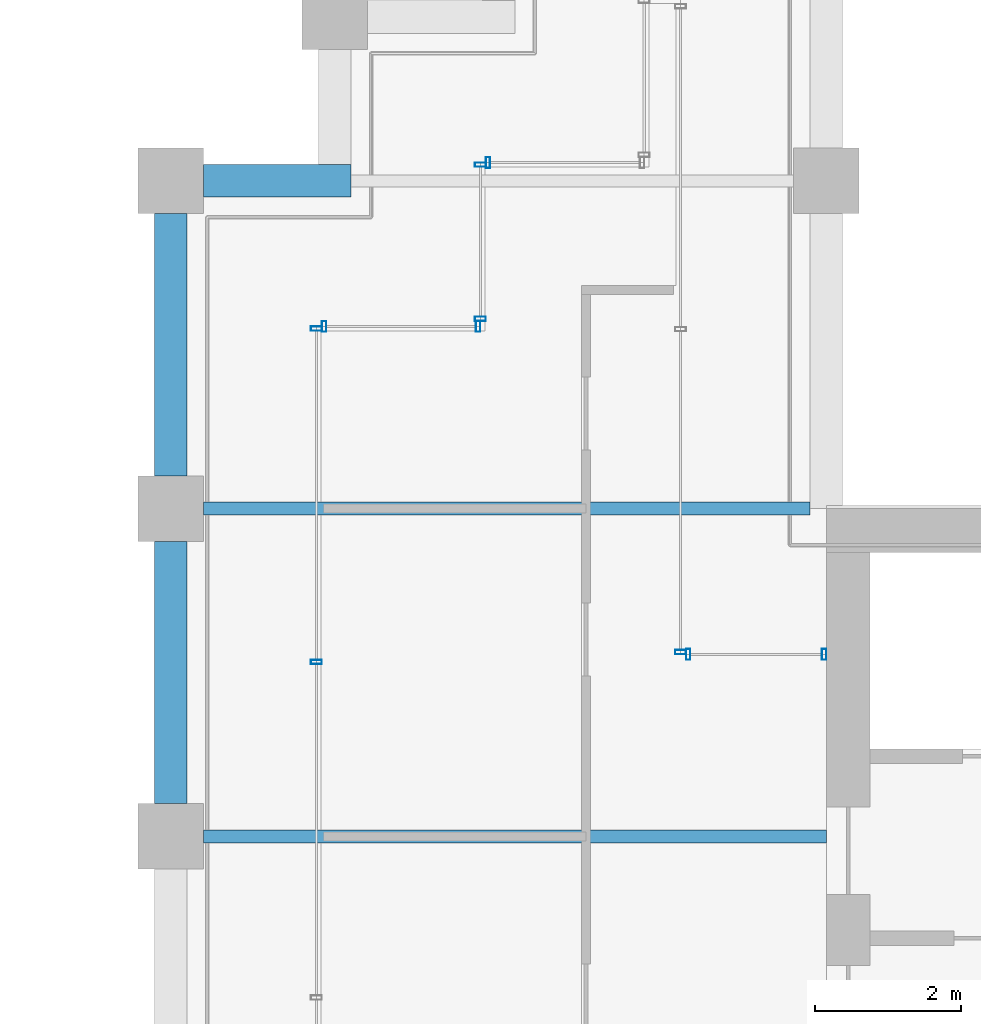
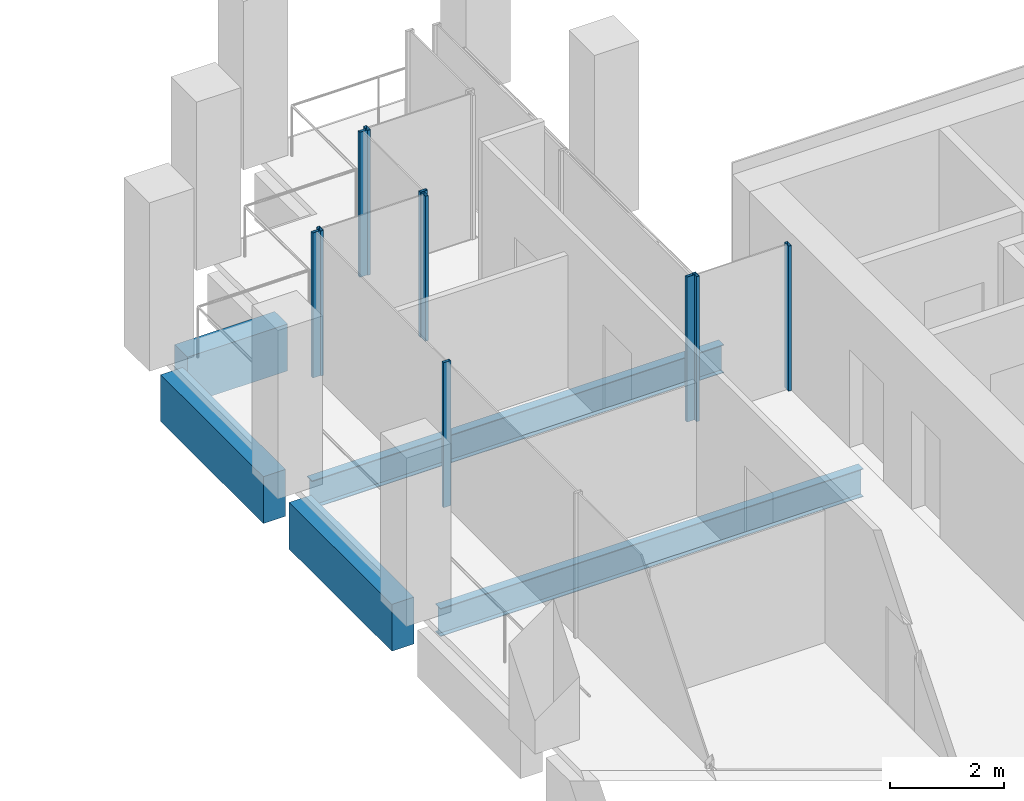
# One storey, part 32 of 40: 10 members, 5 beams, 6 elements without a shape of their own.
"""IFC4 building model written with IfcOpenShell, lengths in metres."""

import ifcopenshell
import ifcopenshell.guid

model = None  # the IFC model being written
_history = None  # IfcOwnerHistory: only IFC2X3 demands one
_inside = {}  # id of a spatial element -> (the spatial element, [elements in it])
_under = {}  # id of a project, library or spatial element -> (it, [spatial elements below it])
_declared = {}  # id of a project -> (the project, [libraries it declares])
_typed = {}  # id of a type object -> (the type object, [elements of that type])
_made_of = {}  # id of a material, layer set ... -> (it, [elements and type objects made of it])


def new_model(schema):
    """Start an empty IFC model of exactly this schema.

    Asked for "IFC4X3", IfcOpenShell would pick the latest addendum, in which some entities
    have other attributes; the version numbers below select the first issue.
    IFC2X3 requires an IfcOwnerHistory on every rooted entity: one is made here for all.
    """
    global model, _history
    if schema == "IFC4X3":
        model = ifcopenshell.file(schema_version=(4, 3, 0, 0))
    else:
        model = ifcopenshell.file(schema=schema)
    _inside.clear()
    _under.clear()
    _declared.clear()
    _typed.clear()
    _made_of.clear()
    _history = None
    if model.schema == "IFC2X3":
        org = make("IfcOrganization", Name="unknown")
        user = make(
            "IfcPersonAndOrganization",
            ThePerson=make("IfcPerson", FamilyName="unknown"),
            TheOrganization=org,
        )
        app = make(
            "IfcApplication",
            ApplicationDeveloper=org,
            Version="unknown",
            ApplicationFullName="unknown",
            ApplicationIdentifier="unknown",
        )
        _history = make(
            "IfcOwnerHistory",
            OwningUser=user,
            OwningApplication=app,
            ChangeAction="ADDED",
            CreationDate=0,
        )
    return model


def make(cls, **values):
    """One entity of the class cls with the attributes given. An attribute that is None is left unset."""
    return model.create_entity(
        cls, **{name: value for name, value in values.items() if value is not None}
    )


def rooted(cls, **values):
    """An entity with a GlobalId (a new one), such as an element, a storey or a relation."""
    return make(cls, GlobalId=ifcopenshell.guid.new(), OwnerHistory=_history, **values)


def si_unit(unit_type, name, prefix=None):
    """IfcSIUnit, for example si_unit("LENGTHUNIT", "METRE", prefix="MILLI")."""
    return make("IfcSIUnit", UnitType=unit_type, Prefix=prefix, Name=name)


def assignment(units):
    """IfcUnitAssignment: the units of a project."""
    return None if units is None else make("IfcUnitAssignment", Units=units)


def point(xyz):
    """IfcCartesianPoint."""
    return None if xyz is None else make("IfcCartesianPoint", Coordinates=xyz)


def direction(xyz):
    """IfcDirection."""
    return None if xyz is None else make("IfcDirection", DirectionRatios=xyz)


def frame(location, z_axis=None, x_axis=None):
    """IfcAxis2Placement3D, a coordinate frame: its origin and axes. An axis left out is left unset."""
    return make(
        "IfcAxis2Placement3D",
        Location=point(location),
        Axis=direction(z_axis),
        RefDirection=direction(x_axis),
    )


def frame_2d(location, x_axis=None):
    """IfcAxis2Placement2D, a coordinate frame in the plane: its origin and x axis."""
    return make(
        "IfcAxis2Placement2D", Location=point(location), RefDirection=direction(x_axis)
    )


def origin():
    """The frame at (0, 0, 0) with its axes left unset."""
    return frame((0.0, 0.0, 0.0))


def origin_2d():
    """The frame at (0, 0) in the plane with its x axis left unset."""
    return frame_2d((0.0, 0.0))


def place(relative_to, where):
    """IfcLocalPlacement: puts the frame where relative to a parent placement (None: the world)."""
    return make(
        "IfcLocalPlacement", PlacementRelTo=relative_to, RelativePlacement=where
    )


def context(
    kind, dimensions, precision=None, world=None, true_north=None, identifier=None
):
    """IfcGeometricRepresentationContext, for example the 3D "Model" context."""
    return make(
        "IfcGeometricRepresentationContext",
        ContextIdentifier=identifier,
        ContextType=kind,
        CoordinateSpaceDimension=dimensions,
        Precision=precision,
        WorldCoordinateSystem=world,
        TrueNorth=true_north,
    )


def subcontext(parent, identifier, kind, view, scale=None):
    """IfcGeometricRepresentationSubContext, for example "Body" below "Model"."""
    return make(
        "IfcGeometricRepresentationSubContext",
        ContextIdentifier=identifier,
        ContextType=kind,
        ParentContext=parent,
        TargetScale=scale,
        TargetView=view,
    )


def project(units=None, contexts=None):
    """IfcProject with its units and contexts."""
    return rooted(
        "IfcProject",
        Name="project",
        RepresentationContexts=contexts,
        UnitsInContext=assignment(units),
    )


def spatial(cls, under=None, at=None, **own):
    """A site, building, storey or space (cls), placed at a placement, below another one or the project."""
    s = rooted(cls, ObjectPlacement=at, **own)
    if under is not None:
        _under.setdefault(under.id(), (under, []))[1].append(s)
    return s


def profile(cls, at=None, kind="AREA", **sizes):
    """A parametric profile (cls). Its sizes go by their IFC names, for example OverallWidth=200.0."""
    return make(cls, ProfileType=kind, Position=at, **sizes)


def rectangle(**sizes):
    """IfcRectangleProfileDef."""
    return profile("IfcRectangleProfileDef", **sizes)


def hollow_rectangle(**sizes):
    """IfcRectangleHollowProfileDef."""
    return profile("IfcRectangleHollowProfileDef", **sizes)


def i_section(**sizes):
    """IfcIShapeProfileDef."""
    return profile("IfcIShapeProfileDef", **sizes)


def extrude(swept, where, along, depth):
    """IfcExtrudedAreaSolid: the profile swept, set in the frame where, extruded along a direction by depth."""
    return make(
        "IfcExtrudedAreaSolid",
        SweptArea=swept,
        Position=where,
        ExtrudedDirection=direction(along),
        Depth=depth,
    )


def shape(context_of_items, identifier, shape_type, items):
    """IfcShapeRepresentation: the items that make up one representation, for example the "Body"."""
    return make(
        "IfcShapeRepresentation",
        ContextOfItems=context_of_items,
        RepresentationIdentifier=identifier,
        RepresentationType=shape_type,
        Items=items,
    )


def material(Name=None, Category=None):
    """IfcMaterial."""
    return make("IfcMaterial", Name=Name, Category=Category)


def material_profile(
    of_material, cross_section, Name=None, Category=None, Priority=None
):
    """IfcMaterialProfile: a cross section and its material."""
    return make(
        "IfcMaterialProfile",
        Name=Name,
        Material=of_material,
        Profile=cross_section,
        Priority=Priority,
        Category=Category,
    )


def profile_set(profiles, Name=None, composite=None):
    """IfcMaterialProfileSet."""
    return make(
        "IfcMaterialProfileSet",
        Name=Name,
        MaterialProfiles=profiles,
        CompositeProfile=composite,
    )


def made_of(thing, what):
    """Note that an element or type object is made of a material, layer set ...; save() writes the relation."""
    if what is not None:
        _made_of.setdefault(what.id(), (what, []))[1].append(thing)
    return thing


def type_object(cls, material=None, **own):
    """A type object (cls), such as IfcWallType, which elements share."""
    return made_of(rooted(cls, **own), material)


def element(
    cls,
    number,
    at=None,
    inside=None,
    cuts=None,
    type_object=None,
    material=None,
    context=None,
    identifier="Body",
    shape_type=None,
    held_by="IfcProductDefinitionShape",
    body=None,
    shapes=None,
    **own,
):
    """One element of the class cls, such as IfcWall. Its Tag is "e" and its number.

    at: its placement. inside: the storey or other place that contains it. cuts: it is an
    opening in that element (IfcRelVoidsElement). A single representation is given by context,
    identifier, shape_type and body (its items); several are given by shapes. held_by: the class
    of the entity that holds the representations. save() writes the other relations.
    """
    e = rooted(cls, Tag="e%d" % number, ObjectPlacement=at, **own)
    if body is not None:
        shapes = [shape(context, identifier, shape_type, body)]
    if shapes is not None:
        e.Representation = make(held_by, Representations=shapes)
    if inside is not None:
        _inside.setdefault(inside.id(), (inside, []))[1].append(e)
    if cuts is not None:
        rooted(
            "IfcRelVoidsElement", RelatingBuildingElement=cuts, RelatedOpeningElement=e
        )
    if type_object is not None:
        _typed.setdefault(type_object.id(), (type_object, []))[1].append(e)
    return made_of(e, material)


def aggregate(whole, parts):
    """IfcRelAggregates: a whole, such as a stair, and the parts it consists of."""
    return rooted("IfcRelAggregates", RelatingObject=whole, RelatedObjects=parts)


def save(model, path):
    """Write the relations noted so far, then the file.

    IfcRelAggregates (storeys below a building ...), IfcRelContainedInSpatialStructure (elements
    in a storey), IfcRelDefinesByType, IfcRelAssociatesMaterial and IfcRelDeclares: one each for
    every whole, place, type object, material and project.
    """
    for whole, parts in _under.values():
        aggregate(whole, parts)
    for where, things in _inside.values():
        rooted(
            "IfcRelContainedInSpatialStructure",
            RelatedElements=things,
            RelatingStructure=where,
        )
    for kind, things in _typed.values():
        rooted("IfcRelDefinesByType", RelatedObjects=things, RelatingType=kind)
    for what, things in _made_of.values():
        rooted("IfcRelAssociatesMaterial", RelatedObjects=things, RelatingMaterial=what)
    for by, libraries in _declared.values():
        rooted("IfcRelDeclares", RelatingContext=by, RelatedDefinitions=libraries)
    model.write(path)


model = new_model("IFC4")

# Units and contexts
model_context = context("Model", 3, precision=1e-05, world=origin(), true_north=direction((0.0, 1.0)))
body_context = subcontext(model_context, "Body", "Model", "MODEL_VIEW")
ifc_project = project(units=[si_unit("LENGTHUNIT", "METRE"), si_unit("AREAUNIT", "SQUARE_METRE"), si_unit("VOLUMEUNIT", "CUBIC_METRE"), si_unit("PLANEANGLEUNIT", "RADIAN"), si_unit("MASSUNIT", "GRAM", prefix="KILO")], contexts=[model_context])

# Site, building, storey
site_placement = place(None, origin())
site = spatial("IfcSite", under=ifc_project, at=site_placement, CompositionType="ELEMENT")
building_placement = place(site_placement, origin())
building = spatial("IfcBuilding", under=site, at=building_placement, Name="Altepetl Exchange Towers", CompositionType="ELEMENT")
storey_placement = place(building_placement, frame((0.0, 0.0, 183.39990234375)))
storey = spatial("IfcBuildingStorey", under=building, at=storey_placement, Name="L46", CompositionType="ELEMENT", Elevation=183.39990234375)

# Beams
ifc_material_1 = material(Name="Steel S355", Category="steel")
ifc_material_profile_1 = material_profile(ifc_material_1, i_section(OverallWidth=0.177978515625, OverallDepth=0.59912109375, WebThickness=0.010009765625, FlangeThickness=0.0126953125, at=origin_2d()), Name="W24X55")
ifc_profile_set_1 = profile_set([ifc_material_profile_1], Name="Steel S355")
beam_type_1 = type_object("IfcBeamType", Name="Floor beam W24X55", PredefinedType="BEAM", material=ifc_profile_set_1)
beam_1_placement = place(storey_placement, frame((94.949951171875, 45.0, -0.449462890625), z_axis=(1.0, 0.0, 0.0), x_axis=(0.0, 1.0, 0.0)))
element("IfcBeam", 1, at=beam_1_placement, inside=storey, type_object=beam_type_1, Name="bm:B:L46:005", PredefinedType="BEAM", context=body_context, shape_type="SweptSolid", body=[
    extrude(i_section(OverallWidth=0.177978515625, OverallDepth=0.59912109375, WebThickness=0.010009765625, FlangeThickness=0.0126953125, at=origin_2d()), origin(), (0.0, 0.0, 1.0), 8.550048828125),
])
beam_2_placement = place(storey_placement, frame((94.949951171875, 49.5, -0.449462890625), z_axis=(1.0, 0.0, 0.0), x_axis=(0.0, 1.0, 0.0)))
element("IfcBeam", 2, at=beam_2_placement, inside=storey, type_object=beam_type_1, Name="bm:B:L46:006", PredefinedType="BEAM", context=body_context, shape_type="SweptSolid", body=[
    extrude(i_section(OverallWidth=0.177978515625, OverallDepth=0.59912109375, WebThickness=0.010009765625, FlangeThickness=0.0126953125, at=origin_2d()), origin(), (0.0, 0.0, 1.0), 8.324951171875),
])

# Curtain wall, members
ifc_material_2 = material(Name="Aluminium 6063-T6 glazing", Category="aluminium")
curtain_wall_type = type_object("IfcCurtainWallType", Name="Loggia glazing system", PredefinedType="NOTDEFINED", material=ifc_material_2)
curtain_wall_1_placement = place(storey_placement, origin())
curtain_wall_1 = element("IfcCurtainWall", 3, at=curtain_wall_1_placement, inside=storey, type_object=curtain_wall_type, Name="CW1 run", PredefinedType="NOTDEFINED")
ifc_material_3 = material(Name="Aluminium 6063-T6", Category="aluminium")
ifc_material_profile_2 = material_profile(ifc_material_3, hollow_rectangle(XDim=0.06005859375, YDim=0.14990234375, WallThickness=0.0029296875, at=origin_2d()), Name="Mullion 60x150 aluminium")
ifc_profile_set_2 = profile_set([ifc_material_profile_2], Name="Aluminium 6063-T6")
member_type = type_object("IfcMemberType", Name="Mullion 60x150 aluminium", PredefinedType="MULLION", material=ifc_profile_set_2)
member_1_placement = place(storey_placement, frame((103.469970703125, 47.5, 0.0), z_axis=(0.0, 0.0, 1.0), x_axis=(-1.0, 0.0, 0.0)))
member_1 = element("IfcMember", 4, at=member_1_placement, type_object=member_type, Name="MU1 mullion", PredefinedType="MULLION", context=body_context, shape_type="SweptSolid", body=[
    extrude(hollow_rectangle(XDim=0.06005859375, YDim=0.14990234375, WallThickness=0.0029296875, at=origin_2d()), origin(), (0.0, 0.0, 1.0), 3.10009765625),
])
member_2_placement = place(storey_placement, frame((101.60498046875, 47.5, 0.0), z_axis=(0.0, 0.0, 1.0), x_axis=(-1.0, 0.0, 0.0)))
member_2 = element("IfcMember", 5, at=member_2_placement, type_object=member_type, Name="MU1 mullion", PredefinedType="MULLION", context=body_context, shape_type="SweptSolid", body=[
    extrude(hollow_rectangle(XDim=0.06005859375, YDim=0.14990234375, WallThickness=0.0029296875, at=origin_2d()), origin(), (0.0, 0.0, 1.0), 3.10009765625),
])
aggregate(curtain_wall_1, [member_1, member_2])

# Curtain wall, member
curtain_wall_2_placement = place(storey_placement, origin())
curtain_wall_2 = element("IfcCurtainWall", 6, at=curtain_wall_2_placement, inside=storey, type_object=curtain_wall_type, Name="CW1 run", PredefinedType="NOTDEFINED")
member_3_placement = place(storey_placement, frame((101.5, 47.530029296875, 0.0), z_axis=(0.0, 0.0, 1.0), x_axis=(0.0, 1.0, 0.0)))
member_3 = element("IfcMember", 7, at=member_3_placement, type_object=member_type, Name="MU1 mullion", PredefinedType="MULLION", context=body_context, shape_type="SweptSolid", body=[
    extrude(hollow_rectangle(XDim=0.06005859375, YDim=0.14990234375, WallThickness=0.0029296875, at=origin_2d()), origin(), (0.0, 0.0, 1.0), 3.10009765625),
])
aggregate(curtain_wall_2, [member_3])

curtain_wall_3_placement = place(storey_placement, origin())
curtain_wall_3 = element("IfcCurtainWall", 8, at=curtain_wall_3_placement, inside=storey, type_object=curtain_wall_type, Name="CW1 run", PredefinedType="NOTDEFINED")
member_4_placement = place(storey_placement, frame((98.85498046875, 54.25, 0.0), z_axis=(0.0, 0.0, 1.0), x_axis=(-1.0, 0.0, 0.0)))
member_4 = element("IfcMember", 9, at=member_4_placement, type_object=member_type, Name="MU1 mullion", PredefinedType="MULLION", context=body_context, shape_type="SweptSolid", body=[
    extrude(hollow_rectangle(XDim=0.06005859375, YDim=0.14990234375, WallThickness=0.0029296875, at=origin_2d()), origin(), (0.0, 0.0, 1.0), 3.10009765625),
])
aggregate(curtain_wall_3, [member_4])

# Curtain wall, members
curtain_wall_4_placement = place(storey_placement, origin())
curtain_wall_4 = element("IfcCurtainWall", 10, at=curtain_wall_4_placement, inside=storey, type_object=curtain_wall_type, Name="CW1 run", PredefinedType="NOTDEFINED")
member_5_placement = place(storey_placement, frame((98.75, 54.219970703125, 0.0), z_axis=(0.0, 0.0, 1.0), x_axis=(0.0, -1.0, 0.0)))
member_5 = element("IfcMember", 11, at=member_5_placement, type_object=member_type, Name="MU1 mullion", PredefinedType="MULLION", context=body_context, shape_type="SweptSolid", body=[
    extrude(hollow_rectangle(XDim=0.06005859375, YDim=0.14990234375, WallThickness=0.0029296875, at=origin_2d()), origin(), (0.0, 0.0, 1.0), 3.10009765625),
])
member_6_placement = place(storey_placement, frame((98.75, 52.10498046875, 0.0), z_axis=(0.0, 0.0, 1.0), x_axis=(0.0, -1.0, 0.0)))
member_6 = element("IfcMember", 12, at=member_6_placement, type_object=member_type, Name="MU1 mullion", PredefinedType="MULLION", context=body_context, shape_type="SweptSolid", body=[
    extrude(hollow_rectangle(XDim=0.06005859375, YDim=0.14990234375, WallThickness=0.0029296875, at=origin_2d()), origin(), (0.0, 0.0, 1.0), 3.10009765625),
])
aggregate(curtain_wall_4, [member_5, member_6])

curtain_wall_5_placement = place(storey_placement, origin())
curtain_wall_5 = element("IfcCurtainWall", 13, at=curtain_wall_5_placement, inside=storey, type_object=curtain_wall_type, Name="CW1 run", PredefinedType="NOTDEFINED")
member_7_placement = place(storey_placement, frame((98.719970703125, 52.0, 0.0), z_axis=(0.0, 0.0, 1.0), x_axis=(-1.0, 0.0, 0.0)))
member_7 = element("IfcMember", 14, at=member_7_placement, type_object=member_type, Name="MU1 mullion", PredefinedType="MULLION", context=body_context, shape_type="SweptSolid", body=[
    extrude(hollow_rectangle(XDim=0.06005859375, YDim=0.14990234375, WallThickness=0.0029296875, at=origin_2d()), origin(), (0.0, 0.0, 1.0), 3.10009765625),
])
member_8_placement = place(storey_placement, frame((96.60498046875, 52.0, 0.0), z_axis=(0.0, 0.0, 1.0), x_axis=(-1.0, 0.0, 0.0)))
member_8 = element("IfcMember", 15, at=member_8_placement, type_object=member_type, Name="MU1 mullion", PredefinedType="MULLION", context=body_context, shape_type="SweptSolid", body=[
    extrude(hollow_rectangle(XDim=0.06005859375, YDim=0.14990234375, WallThickness=0.0029296875, at=origin_2d()), origin(), (0.0, 0.0, 1.0), 3.10009765625),
])
aggregate(curtain_wall_5, [member_7, member_8])

curtain_wall_6_placement = place(storey_placement, origin())
curtain_wall_6 = element("IfcCurtainWall", 16, at=curtain_wall_6_placement, inside=storey, type_object=curtain_wall_type, Name="CW1 run", PredefinedType="NOTDEFINED")
member_9_placement = place(storey_placement, frame((96.5, 51.969970703125, 0.0), z_axis=(0.0, 0.0, 1.0), x_axis=(0.0, -1.0, 0.0)))
member_9 = element("IfcMember", 17, at=member_9_placement, type_object=member_type, Name="MU1 mullion", PredefinedType="MULLION", context=body_context, shape_type="SweptSolid", body=[
    extrude(hollow_rectangle(XDim=0.06005859375, YDim=0.14990234375, WallThickness=0.0029296875, at=origin_2d()), origin(), (0.0, 0.0, 1.0), 3.10009765625),
])
member_10_placement = place(storey_placement, frame((96.5, 47.393798828125, 0.0), z_axis=(0.0, 0.0, 1.0), x_axis=(0.0, -1.0, 0.0)))
member_10 = element("IfcMember", 18, at=member_10_placement, type_object=member_type, Name="MU1 mullion", PredefinedType="MULLION", context=body_context, shape_type="SweptSolid", body=[
    extrude(hollow_rectangle(XDim=0.06005859375, YDim=0.14990234375, WallThickness=0.0029296875, at=origin_2d()), origin(), (0.0, 0.0, 1.0), 3.10009765625),
])
aggregate(curtain_wall_6, [member_9, member_10])

# Beams
ifc_material_4 = material(Name="Concrete C50/60 precast with cantera rosa facing", Category="concrete")
ifc_material_profile_3 = material_profile(ifc_material_4, rectangle(XDim=0.449951171875, YDim=1.0, at=origin_2d()), Name="450 x 1000")
ifc_profile_set_3 = profile_set([ifc_material_profile_3], Name="Concrete C50/60 precast with cantera rosa facing")
beam_type_2 = type_object("IfcBeamType", Name="Spandrel beam 450x1000 cantera rosa", PredefinedType="SPANDREL", material=ifc_profile_set_3)
beam_3_placement = place(storey_placement, frame((96.97509765625, 54.0, -0.64990234375), z_axis=(-1.0, 0.0, 0.0), x_axis=(0.0, -1.0, 0.0)))
element("IfcBeam", 19, at=beam_3_placement, inside=storey, type_object=beam_type_2, Name="sp:B:L46:014", PredefinedType="SPANDREL", context=body_context, shape_type="SweptSolid", body=[
    extrude(rectangle(XDim=0.449951171875, YDim=1.0, at=origin_2d()), origin(), (0.0, 0.0, 1.0), 2.025146484375),
])
for number, where, z_axis, x_axis, name in (
    (20, (94.5, 53.550048828125, -0.64990234375), (0.0, -1.0, 0.0), (1.0, 0.0, 0.0), "sp:B:L46:015"),
    (21, (94.5, 49.050048828125, -0.64990234375), (0.0, -1.0, 0.0), (1.0, 0.0, 0.0), "sp:B:L46:016"),
):
    element("IfcBeam", number, at=place(storey_placement, frame(where, z_axis=z_axis, x_axis=x_axis)), inside=storey, type_object=beam_type_2, Name=name, PredefinedType="SPANDREL", context=body_context, shape_type="SweptSolid", body=[
        extrude(rectangle(XDim=0.449951171875, YDim=1.0, at=origin_2d()), origin(), (0.0, 0.0, 1.0), 3.60009765625),
    ])

save(model, "model.ifc")
